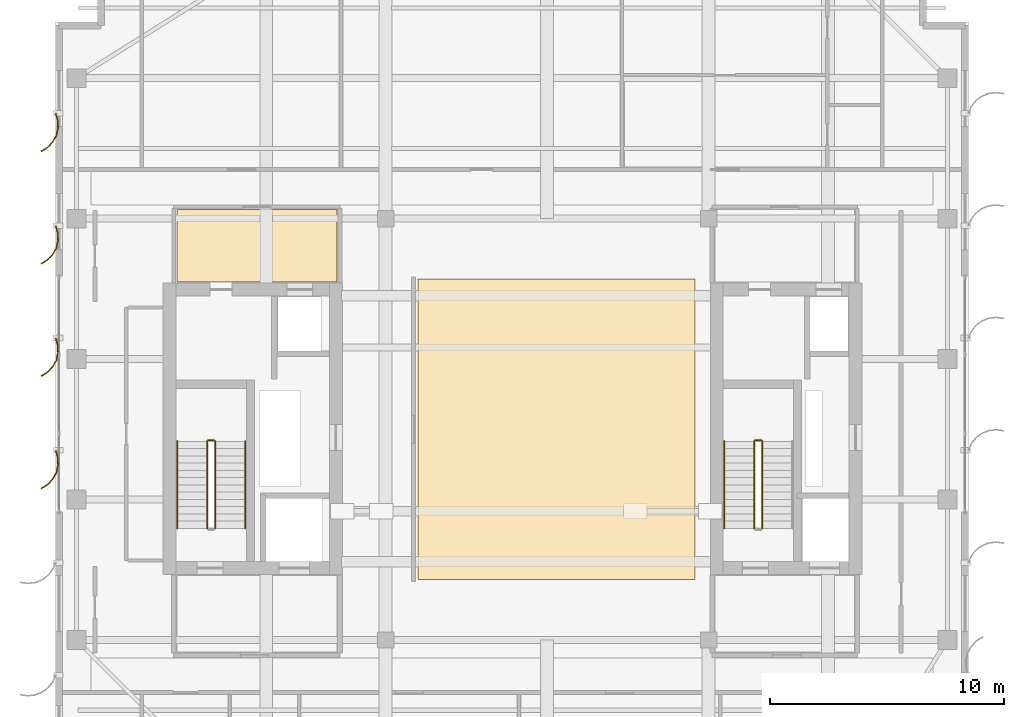
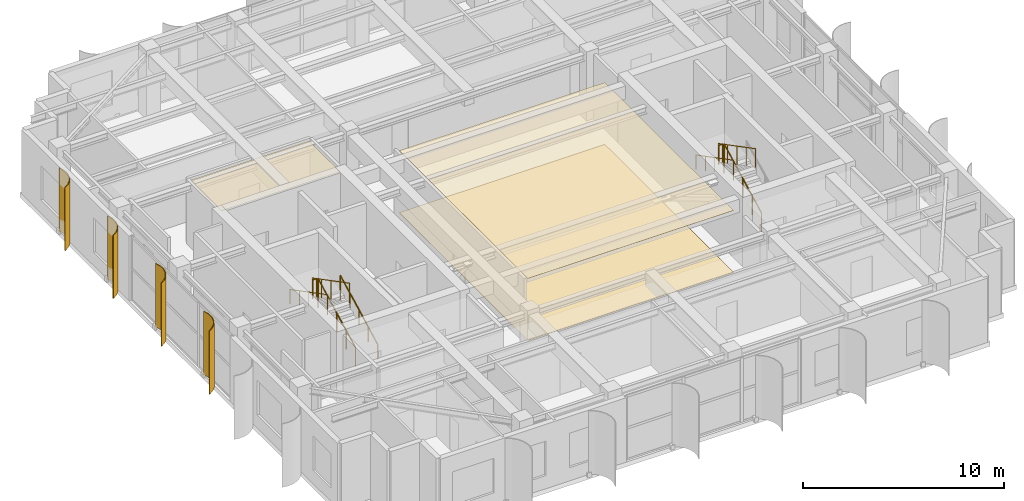
# One storey, part 25 of 26: 9 railings, 4 shading devices, 3 coverings.
"""IFC4 building model written with IfcOpenShell, lengths in metres."""

import ifcopenshell
import ifcopenshell.guid

model = None  # the IFC model being written
_history = None  # IfcOwnerHistory: only IFC2X3 demands one
_inside = {}  # id of a spatial element -> (the spatial element, [elements in it])
_under = {}  # id of a project, library or spatial element -> (it, [spatial elements below it])
_declared = {}  # id of a project -> (the project, [libraries it declares])
_typed = {}  # id of a type object -> (the type object, [elements of that type])
_made_of = {}  # id of a material, layer set ... -> (it, [elements and type objects made of it])


def new_model(schema):
    """Start an empty IFC model of exactly this schema.

    Asked for "IFC4X3", IfcOpenShell would pick the latest addendum, in which some entities
    have other attributes; the version numbers below select the first issue.
    IFC2X3 requires an IfcOwnerHistory on every rooted entity: one is made here for all.
    """
    global model, _history
    if schema == "IFC4X3":
        model = ifcopenshell.file(schema_version=(4, 3, 0, 0))
    else:
        model = ifcopenshell.file(schema=schema)
    _inside.clear()
    _under.clear()
    _declared.clear()
    _typed.clear()
    _made_of.clear()
    _history = None
    if model.schema == "IFC2X3":
        org = make("IfcOrganization", Name="unknown")
        user = make(
            "IfcPersonAndOrganization",
            ThePerson=make("IfcPerson", FamilyName="unknown"),
            TheOrganization=org,
        )
        app = make(
            "IfcApplication",
            ApplicationDeveloper=org,
            Version="unknown",
            ApplicationFullName="unknown",
            ApplicationIdentifier="unknown",
        )
        _history = make(
            "IfcOwnerHistory",
            OwningUser=user,
            OwningApplication=app,
            ChangeAction="ADDED",
            CreationDate=0,
        )
    return model


def make(cls, **values):
    """One entity of the class cls with the attributes given. An attribute that is None is left unset."""
    return model.create_entity(
        cls, **{name: value for name, value in values.items() if value is not None}
    )


def rooted(cls, **values):
    """An entity with a GlobalId (a new one), such as an element, a storey or a relation."""
    return make(cls, GlobalId=ifcopenshell.guid.new(), OwnerHistory=_history, **values)


def si_unit(unit_type, name, prefix=None):
    """IfcSIUnit, for example si_unit("LENGTHUNIT", "METRE", prefix="MILLI")."""
    return make("IfcSIUnit", UnitType=unit_type, Prefix=prefix, Name=name)


def assignment(units):
    """IfcUnitAssignment: the units of a project."""
    return None if units is None else make("IfcUnitAssignment", Units=units)


def point(xyz):
    """IfcCartesianPoint."""
    return None if xyz is None else make("IfcCartesianPoint", Coordinates=xyz)


def direction(xyz):
    """IfcDirection."""
    return None if xyz is None else make("IfcDirection", DirectionRatios=xyz)


def frame(location, z_axis=None, x_axis=None):
    """IfcAxis2Placement3D, a coordinate frame: its origin and axes. An axis left out is left unset."""
    return make(
        "IfcAxis2Placement3D",
        Location=point(location),
        Axis=direction(z_axis),
        RefDirection=direction(x_axis),
    )


def frame_2d(location, x_axis=None):
    """IfcAxis2Placement2D, a coordinate frame in the plane: its origin and x axis."""
    return make(
        "IfcAxis2Placement2D", Location=point(location), RefDirection=direction(x_axis)
    )


def origin():
    """The frame at (0, 0, 0) with its axes left unset."""
    return frame((0.0, 0.0, 0.0))


def origin_2d():
    """The frame at (0, 0) in the plane with its x axis left unset."""
    return frame_2d((0.0, 0.0))


def place(relative_to, where):
    """IfcLocalPlacement: puts the frame where relative to a parent placement (None: the world)."""
    return make(
        "IfcLocalPlacement", PlacementRelTo=relative_to, RelativePlacement=where
    )


def context(
    kind, dimensions, precision=None, world=None, true_north=None, identifier=None
):
    """IfcGeometricRepresentationContext, for example the 3D "Model" context."""
    return make(
        "IfcGeometricRepresentationContext",
        ContextIdentifier=identifier,
        ContextType=kind,
        CoordinateSpaceDimension=dimensions,
        Precision=precision,
        WorldCoordinateSystem=world,
        TrueNorth=true_north,
    )


def subcontext(parent, identifier, kind, view, scale=None):
    """IfcGeometricRepresentationSubContext, for example "Body" below "Model"."""
    return make(
        "IfcGeometricRepresentationSubContext",
        ContextIdentifier=identifier,
        ContextType=kind,
        ParentContext=parent,
        TargetScale=scale,
        TargetView=view,
    )


def project(units=None, contexts=None):
    """IfcProject with its units and contexts."""
    return rooted(
        "IfcProject",
        Name="project",
        RepresentationContexts=contexts,
        UnitsInContext=assignment(units),
    )


def spatial(cls, under=None, at=None, **own):
    """A site, building, storey or space (cls), placed at a placement, below another one or the project."""
    s = rooted(cls, ObjectPlacement=at, **own)
    if under is not None:
        _under.setdefault(under.id(), (under, []))[1].append(s)
    return s


def polyline(points):
    """IfcPolyline through the points."""
    return make("IfcPolyline", Points=[point(p) for p in points])


def profile(cls, at=None, kind="AREA", **sizes):
    """A parametric profile (cls). Its sizes go by their IFC names, for example OverallWidth=200.0."""
    return make(cls, ProfileType=kind, Position=at, **sizes)


def circle(**sizes):
    """IfcCircleProfileDef."""
    return profile("IfcCircleProfileDef", **sizes)


def outline(outer, holes=None, kind="AREA"):
    """IfcArbitraryClosedProfileDef: a profile drawn as a closed curve; with holes, ...WithVoids."""
    if holes is None:
        return make("IfcArbitraryClosedProfileDef", ProfileType=kind, OuterCurve=outer)
    return make(
        "IfcArbitraryProfileDefWithVoids",
        ProfileType=kind,
        OuterCurve=outer,
        InnerCurves=holes,
    )


def extrude(swept, where, along, depth):
    """IfcExtrudedAreaSolid: the profile swept, set in the frame where, extruded along a direction by depth."""
    return make(
        "IfcExtrudedAreaSolid",
        SweptArea=swept,
        Position=where,
        ExtrudedDirection=direction(along),
        Depth=depth,
    )


def shape(context_of_items, identifier, shape_type, items):
    """IfcShapeRepresentation: the items that make up one representation, for example the "Body"."""
    return make(
        "IfcShapeRepresentation",
        ContextOfItems=context_of_items,
        RepresentationIdentifier=identifier,
        RepresentationType=shape_type,
        Items=items,
    )


def source(mapping_origin, context_of_items, identifier, shape_type, items):
    """IfcRepresentationMap: a shape defined once, which mapped items show again and again."""
    return make(
        "IfcRepresentationMap",
        MappingOrigin=mapping_origin,
        MappedRepresentation=shape(context_of_items, identifier, shape_type, items),
    )


def transform(
    local_origin,
    x_axis=None,
    y_axis=None,
    z_axis=None,
    scale=None,
    scale2=None,
    scale3=None,
    uniform=True,
):
    """IfcCartesianTransformationOperator3D, or its non-uniform kind. x_axis, y_axis, z_axis: its Axis1, 2, 3."""
    if uniform:
        return make(
            "IfcCartesianTransformationOperator3D",
            Axis1=direction(x_axis),
            Axis2=direction(y_axis),
            LocalOrigin=point(local_origin),
            Scale=scale,
            Axis3=direction(z_axis),
        )
    return make(
        "IfcCartesianTransformationOperator3DnonUniform",
        Axis1=direction(x_axis),
        Axis2=direction(y_axis),
        LocalOrigin=point(local_origin),
        Scale=scale,
        Axis3=direction(z_axis),
        Scale2=scale2,
        Scale3=scale3,
    )


def mapped(mapping_source, mapping_target):
    """IfcMappedItem: shows the shape of a source again, moved by a transform."""
    return make(
        "IfcMappedItem", MappingSource=mapping_source, MappingTarget=mapping_target
    )


def material(Name=None, Category=None):
    """IfcMaterial."""
    return make("IfcMaterial", Name=Name, Category=Category)


def layer(
    of_material, thickness, ventilated=None, Name=None, Category=None, Priority=None
):
    """IfcMaterialLayer: one layer of a wall or slab, of a material (None: an air gap)."""
    return make(
        "IfcMaterialLayer",
        Material=of_material,
        LayerThickness=thickness,
        IsVentilated=ventilated,
        Name=Name,
        Category=Category,
        Priority=Priority,
    )


def layer_set(layers, Name=None):
    """IfcMaterialLayerSet."""
    return make("IfcMaterialLayerSet", MaterialLayers=layers, LayerSetName=Name)


def made_of(thing, what):
    """Note that an element or type object is made of a material, layer set ...; save() writes the relation."""
    if what is not None:
        _made_of.setdefault(what.id(), (what, []))[1].append(thing)
    return thing


def type_object(cls, material=None, **own):
    """A type object (cls), such as IfcWallType, which elements share."""
    return made_of(rooted(cls, **own), material)


def element(
    cls,
    number,
    at=None,
    inside=None,
    cuts=None,
    type_object=None,
    material=None,
    context=None,
    identifier="Body",
    shape_type=None,
    held_by="IfcProductDefinitionShape",
    body=None,
    shapes=None,
    **own,
):
    """One element of the class cls, such as IfcWall. Its Tag is "e" and its number.

    at: its placement. inside: the storey or other place that contains it. cuts: it is an
    opening in that element (IfcRelVoidsElement). A single representation is given by context,
    identifier, shape_type and body (its items); several are given by shapes. held_by: the class
    of the entity that holds the representations. save() writes the other relations.
    """
    e = rooted(cls, Tag="e%d" % number, ObjectPlacement=at, **own)
    if body is not None:
        shapes = [shape(context, identifier, shape_type, body)]
    if shapes is not None:
        e.Representation = make(held_by, Representations=shapes)
    if inside is not None:
        _inside.setdefault(inside.id(), (inside, []))[1].append(e)
    if cuts is not None:
        rooted(
            "IfcRelVoidsElement", RelatingBuildingElement=cuts, RelatedOpeningElement=e
        )
    if type_object is not None:
        _typed.setdefault(type_object.id(), (type_object, []))[1].append(e)
    return made_of(e, material)


def aggregate(whole, parts):
    """IfcRelAggregates: a whole, such as a stair, and the parts it consists of."""
    return rooted("IfcRelAggregates", RelatingObject=whole, RelatedObjects=parts)


def save(model, path):
    """Write the relations noted so far, then the file.

    IfcRelAggregates (storeys below a building ...), IfcRelContainedInSpatialStructure (elements
    in a storey), IfcRelDefinesByType, IfcRelAssociatesMaterial and IfcRelDeclares: one each for
    every whole, place, type object, material and project.
    """
    for whole, parts in _under.values():
        aggregate(whole, parts)
    for where, things in _inside.values():
        rooted(
            "IfcRelContainedInSpatialStructure",
            RelatedElements=things,
            RelatingStructure=where,
        )
    for kind, things in _typed.values():
        rooted("IfcRelDefinesByType", RelatedObjects=things, RelatingType=kind)
    for what, things in _made_of.values():
        rooted("IfcRelAssociatesMaterial", RelatedObjects=things, RelatingMaterial=what)
    for by, libraries in _declared.values():
        rooted("IfcRelDeclares", RelatingContext=by, RelatedDefinitions=libraries)
    model.write(path)


model = new_model("IFC4")

# Units and contexts
model_context = context("Model", 3, precision=1e-05, world=origin(), true_north=direction((0.0, 1.0)))
body_context = subcontext(model_context, "Body", "Model", "MODEL_VIEW")
ifc_project = project(units=[si_unit("LENGTHUNIT", "METRE"), si_unit("AREAUNIT", "SQUARE_METRE"), si_unit("VOLUMEUNIT", "CUBIC_METRE"), si_unit("PLANEANGLEUNIT", "RADIAN"), si_unit("MASSUNIT", "GRAM", prefix="KILO")], contexts=[model_context])

# Site, building, storey
site_placement = place(None, origin())
site = spatial("IfcSite", under=ifc_project, at=site_placement, CompositionType="ELEMENT")
building_placement = place(site_placement, origin())
building = spatial("IfcBuilding", under=site, at=building_placement, Name="Khoralis Quay Care Tower", CompositionType="ELEMENT")
storey_placement = place(building_placement, frame((0.0, 0.0, 289.5)))
storey = spatial("IfcBuildingStorey", under=building, at=storey_placement, Name="L76", CompositionType="ELEMENT", Elevation=289.5)

# Coverings
ifc_material_1 = material(Name="Mineral-fibre acoustic ceiling tile")
ifc_layer_1 = layer(ifc_material_1, 0.01806640625)
ifc_layer_set_1 = layer_set([ifc_layer_1], Name="Mineral-fibre acoustic ceiling tile")
covering_type_1 = type_object("IfcCoveringType", Name="COV-CEIL-AC18", PredefinedType="CEILING", material=ifc_layer_set_1)
covering_1_placement = place(storey_placement, frame((0.0, 0.0, 3.77197265625)))
element("IfcCovering", 1, at=covering_1_placement, inside=storey, type_object=covering_type_1, Name="Suspended Acoustic Ceiling SP-L76-LLOB-W", PredefinedType="CEILING", context=body_context, shape_type="SweptSolid", body=[
    extrude(outline(polyline([(8.179931640625, 27.300048828125), (15.02001953125, 27.300048828125), (15.02001953125, 30.389892578125), (8.179931640625, 30.389892578125), (8.179931640625, 27.300048828125)])), origin(), (0.0, 0.0, 1.0), 0.01806640625),
])
covering_2_placement = place(storey_placement, frame((0.0, 0.0, 3.77197265625)))
element("IfcCovering", 2, at=covering_2_placement, inside=storey, type_object=covering_type_1, Name="Suspended Acoustic Ceiling SP-L76-SKYLNG", PredefinedType="CEILING", context=body_context, shape_type="SweptSolid", body=[
    extrude(outline(polyline([(18.47998046875, 14.580078125), (30.320068359375, 14.580078125), (30.320068359375, 27.419921875), (18.47998046875, 27.419921875), (18.47998046875, 14.580078125)])), origin(), (0.0, 0.0, 1.0), 0.01806640625),
])
ifc_material_2 = material(Name="Porcelain and non-slip vinyl flooring")
ifc_layer_2 = layer(ifc_material_2, 0.02001953125)
ifc_layer_set_2 = layer_set([ifc_layer_2], Name="Porcelain and non-slip vinyl flooring")
covering_type_2 = type_object("IfcCoveringType", Name="COV-FLOOR-20", PredefinedType="FLOORING", material=ifc_layer_set_2)
covering_3_placement = place(storey_placement, origin())
element("IfcCovering", 3, at=covering_3_placement, inside=storey, type_object=covering_type_2, Name="Resilient Healthcare Flooring SP-L76-SKYLNG", PredefinedType="FLOORING", context=body_context, shape_type="SweptSolid", body=[
    extrude(outline(polyline([(18.47998046875, 14.580078125), (30.320068359375, 14.580078125), (30.320068359375, 27.419921875), (18.47998046875, 27.419921875), (18.47998046875, 14.580078125)])), origin(), (0.0, 0.0, 1.0), 0.02001953125),
])

# Railings
ifc_material_3 = material(Name="Brushed stainless steel", Category="steel")
railing_type_1 = type_object("IfcRailingType", Name="RL-GUARD-1150", PredefinedType="GUARDRAIL", material=ifc_material_3)
railing_1_placement = place(storey_placement, frame((9.820068359375, 16.77001953125, 0.16162109375)))
element("IfcRailing", 4, at=railing_1_placement, inside=storey, type_object=railing_type_1, Name="L76 ST-T1 stair guard 1", PredefinedType="GUARDRAIL", context=body_context, shape_type="SweptSolid", body=[
    extrude(circle(Radius=0.02392578125, at=origin_2d()), frame((0.0, 0.0, 1.1259765625), z_axis=(0.0, 0.886817194535, 0.462120399331), x_axis=(-1.0, 0.0, 0.0)), (0.0, 0.0, 1.0), 4.19482421875),
    extrude(circle(Radius=0.02099609375, at=origin_2d()), origin(), (0.0, 0.0, 1.0), 1.101806640625),
    extrude(circle(Radius=0.02099609375, at=origin_2d()), frame((0.0, 0.929931640625, 0.484619140625)), (0.0, 0.0, 1.0), 1.101806640625),
    extrude(circle(Radius=0.02099609375, at=origin_2d()), frame((0.0, 1.85986328125, 0.96923828125)), (0.0, 0.0, 1.0), 1.101806640625),
    extrude(circle(Radius=0.02099609375, at=origin_2d()), frame((0.0, 2.7900390625, 1.453857421875)), (0.0, 0.0, 1.0), 1.101806640625),
    extrude(circle(Radius=0.02099609375, at=origin_2d()), frame((0.0, 3.719970703125, 1.9384765625)), (0.0, 0.0, 1.0), 1.101806640625),
])
railing_2_placement = place(storey_placement, frame((9.77001953125, 20.5400390625, 2.10009765625)))
element("IfcRailing", 5, at=railing_2_placement, inside=storey, type_object=railing_type_1, Name="L76 ST-T1 stair guard 2", PredefinedType="GUARDRAIL", context=body_context, shape_type="SweptSolid", body=[
    extrude(circle(Radius=0.02392578125, at=origin_2d()), frame((0.0, 0.0, 1.1259765625), z_axis=(-1.0, 0.0, 0.0), x_axis=(0.0, -1.0, 0.0)), (0.0, 0.0, 1.0), 0.239990234375),
    extrude(circle(Radius=0.02099609375, at=origin_2d()), origin(), (0.0, 0.0, 1.0), 1.101806640625),
    extrude(circle(Radius=0.02099609375, at=origin_2d()), frame((-0.239990234375, 0.0, 0.0)), (0.0, 0.0, 1.0), 1.101806640625),
])
railing_3_placement = place(storey_placement, frame((9.47998046875, 20.489990234375, 2.261474609375)))
element("IfcRailing", 6, at=railing_3_placement, inside=storey, type_object=railing_type_1, Name="L76 ST-T1 stair guard 3", PredefinedType="GUARDRAIL", context=body_context, shape_type="SweptSolid", body=[
    extrude(circle(Radius=0.02392578125, at=origin_2d()), frame((0.0, 0.0, 1.1259765625), z_axis=(0.0, -0.886817194535, 0.462120399331), x_axis=(1.0, 0.0, 0.0)), (0.0, 0.0, 1.0), 4.19482421875),
    extrude(circle(Radius=0.02099609375, at=origin_2d()), origin(), (0.0, 0.0, 1.0), 1.101806640625),
    extrude(circle(Radius=0.02099609375, at=origin_2d()), frame((0.0, -0.929931640625, 0.484619140625)), (0.0, 0.0, 1.0), 1.101806640625),
    extrude(circle(Radius=0.02099609375, at=origin_2d()), frame((0.0, -1.85986328125, 0.96923828125)), (0.0, 0.0, 1.0), 1.101806640625),
    extrude(circle(Radius=0.02099609375, at=origin_2d()), frame((0.0, -2.7900390625, 1.453857421875)), (0.0, 0.0, 1.0), 1.101806640625),
    extrude(circle(Radius=0.02099609375, at=origin_2d()), frame((0.0, -3.719970703125, 1.9384765625)), (0.0, 0.0, 1.0), 1.101806640625),
])
railing_4_placement = place(storey_placement, frame((33.18994140625, 16.77001953125, 0.16162109375)))
element("IfcRailing", 7, at=railing_4_placement, inside=storey, type_object=railing_type_1, Name="L76 ST-T2 stair guard 1", PredefinedType="GUARDRAIL", context=body_context, shape_type="SweptSolid", body=[
    extrude(circle(Radius=0.02392578125, at=origin_2d()), frame((0.0, 0.0, 1.1259765625), z_axis=(0.0, 0.886817194535, 0.462120399331), x_axis=(-1.0, 0.0, 0.0)), (0.0, 0.0, 1.0), 4.19482421875),
    extrude(circle(Radius=0.02099609375, at=origin_2d()), origin(), (0.0, 0.0, 1.0), 1.101806640625),
    extrude(circle(Radius=0.02099609375, at=origin_2d()), frame((0.0, 0.929931640625, 0.484619140625)), (0.0, 0.0, 1.0), 1.101806640625),
    extrude(circle(Radius=0.02099609375, at=origin_2d()), frame((0.0, 1.85986328125, 0.96923828125)), (0.0, 0.0, 1.0), 1.101806640625),
    extrude(circle(Radius=0.02099609375, at=origin_2d()), frame((0.0, 2.7900390625, 1.453857421875)), (0.0, 0.0, 1.0), 1.101806640625),
    extrude(circle(Radius=0.02099609375, at=origin_2d()), frame((0.0, 3.719970703125, 1.9384765625)), (0.0, 0.0, 1.0), 1.101806640625),
])
railing_5_placement = place(storey_placement, frame((33.139892578125, 20.5400390625, 2.10009765625)))
element("IfcRailing", 8, at=railing_5_placement, inside=storey, type_object=railing_type_1, Name="L76 ST-T2 stair guard 2", PredefinedType="GUARDRAIL", context=body_context, shape_type="SweptSolid", body=[
    extrude(circle(Radius=0.02392578125, at=origin_2d()), frame((0.0, 0.0, 1.1259765625), z_axis=(-1.0, 0.0, 0.0), x_axis=(0.0, -1.0, 0.0)), (0.0, 0.0, 1.0), 0.239990234375),
    extrude(circle(Radius=0.02099609375, at=origin_2d()), origin(), (0.0, 0.0, 1.0), 1.101806640625),
    extrude(circle(Radius=0.02099609375, at=origin_2d()), frame((-0.239990234375, 0.0, 0.0)), (0.0, 0.0, 1.0), 1.101806640625),
])
railing_6_placement = place(storey_placement, frame((32.85009765625, 20.489990234375, 2.261474609375)))
element("IfcRailing", 9, at=railing_6_placement, inside=storey, type_object=railing_type_1, Name="L76 ST-T2 stair guard 3", PredefinedType="GUARDRAIL", context=body_context, shape_type="SweptSolid", body=[
    extrude(circle(Radius=0.02392578125, at=origin_2d()), frame((0.0, 0.0, 1.1259765625), z_axis=(0.0, -0.886817194535, 0.462120399331), x_axis=(1.0, 0.0, 0.0)), (0.0, 0.0, 1.0), 4.19482421875),
    extrude(circle(Radius=0.02099609375, at=origin_2d()), origin(), (0.0, 0.0, 1.0), 1.101806640625),
    extrude(circle(Radius=0.02099609375, at=origin_2d()), frame((0.0, -0.929931640625, 0.484619140625)), (0.0, 0.0, 1.0), 1.101806640625),
    extrude(circle(Radius=0.02099609375, at=origin_2d()), frame((0.0, -1.85986328125, 0.96923828125)), (0.0, 0.0, 1.0), 1.101806640625),
    extrude(circle(Radius=0.02099609375, at=origin_2d()), frame((0.0, -2.7900390625, 1.453857421875)), (0.0, 0.0, 1.0), 1.101806640625),
    extrude(circle(Radius=0.02099609375, at=origin_2d()), frame((0.0, -3.719970703125, 1.9384765625)), (0.0, 0.0, 1.0), 1.101806640625),
])
railing_type_2 = type_object("IfcRailingType", Name="RL-HAND-900", PredefinedType="HANDRAIL", material=ifc_material_3)
railing_7_placement = place(storey_placement, frame((11.10009765625, 16.77001953125, 0.16162109375)))
element("IfcRailing", 10, at=railing_7_placement, inside=storey, type_object=railing_type_2, Name="L76 ST-T1 stair handrail 1", PredefinedType="HANDRAIL", context=body_context, shape_type="SweptSolid", body=[
    extrude(circle(Radius=0.02392578125, at=origin_2d()), frame((0.0, 0.0, 0.8759765625), z_axis=(0.0, 0.886817194535, 0.462120399331), x_axis=(-1.0, 0.0, 0.0)), (0.0, 0.0, 1.0), 4.19482421875),
    extrude(circle(Radius=0.02099609375, at=origin_2d()), origin(), (0.0, 0.0, 1.0), 0.851806640625),
    extrude(circle(Radius=0.02099609375, at=origin_2d()), frame((0.0, 0.929931640625, 0.484619140625)), (0.0, 0.0, 1.0), 0.851806640625),
    extrude(circle(Radius=0.02099609375, at=origin_2d()), frame((0.0, 1.85986328125, 0.96923828125)), (0.0, 0.0, 1.0), 0.851806640625),
    extrude(circle(Radius=0.02099609375, at=origin_2d()), frame((0.0, 2.7900390625, 1.453857421875)), (0.0, 0.0, 1.0), 0.851806640625),
    extrude(circle(Radius=0.02099609375, at=origin_2d()), frame((0.0, 3.719970703125, 1.9384765625)), (0.0, 0.0, 1.0), 0.851806640625),
])
for number, where, name in (
    (11, (8.199951171875, 20.489990234375, 2.261474609375), "L76 ST-T1 stair handrail 2"),
    (12, (31.570068359375, 20.489990234375, 2.261474609375), "L76 ST-T2 stair handrail 2"),
):
    element("IfcRailing", number, at=place(storey_placement, frame(where)), inside=storey, type_object=railing_type_2, Name=name, PredefinedType="HANDRAIL", context=body_context, shape_type="SweptSolid", body=[
        extrude(circle(Radius=0.02392578125, at=origin_2d()), frame((0.0, 0.0, 0.8759765625), z_axis=(0.0, -0.886817194535, 0.462120399331), x_axis=(1.0, 0.0, 0.0)), (0.0, 0.0, 1.0), 4.19482421875),
        extrude(circle(Radius=0.02099609375, at=origin_2d()), origin(), (0.0, 0.0, 1.0), 0.851806640625),
        extrude(circle(Radius=0.02099609375, at=origin_2d()), frame((0.0, -0.929931640625, 0.484619140625)), (0.0, 0.0, 1.0), 0.851806640625),
        extrude(circle(Radius=0.02099609375, at=origin_2d()), frame((0.0, -1.85986328125, 0.96923828125)), (0.0, 0.0, 1.0), 0.851806640625),
        extrude(circle(Radius=0.02099609375, at=origin_2d()), frame((0.0, -2.7900390625, 1.453857421875)), (0.0, 0.0, 1.0), 0.851806640625),
        extrude(circle(Radius=0.02099609375, at=origin_2d()), frame((0.0, -3.719970703125, 1.9384765625)), (0.0, 0.0, 1.0), 0.851806640625),
    ])

# Shading devices
ifc_material_4 = material(Name="Brushed pale anodised aluminium", Category="aluminium")
ifc_layer_3 = layer(ifc_material_4, 0.044921875)
ifc_layer_set_3 = layer_set([ifc_layer_3], Name="Brushed pale anodised aluminium")
shading_device_type = type_object("IfcShadingDeviceType", Name="SHD-FIN-1250", PredefinedType="USERDEFINED", material=ifc_layer_set_3)
shared_shape = source(origin(), body_context, "Body", "SweptSolid", [
    extrude(outline(polyline([(0.0, 0.0), (-0.0927734375, 0.31298828125), (-0.101318359375, 0.63916015625), (-0.025146484375, 0.956298828125), (0.130615234375, 1.2431640625), (0.355224609375, 1.479736328125), (0.633544921875, 1.650390625), (0.65185546875, 1.609130859375), (0.383544921875, 1.44482421875), (0.1669921875, 1.216796875), (0.01708984375, 0.940185546875), (-0.056396484375, 0.63427734375), (-0.04833984375, 0.31982421875), (0.041015625, 0.018310546875), (0.0, 0.0)])), origin(), (0.0, 0.0, 1.0), 3.85986328125),
])
for number, where, z_axis, x_axis, name in (
    (13, (3.030029296875, 34.5, 0.02001953125), (0.0, 0.0, 1.0), (-1.0, 0.0, 0.0), "L76 Curved Solar Fin P1E15-01"),
    (14, (3.030029296875, 29.699951171875, 0.02001953125), (0.0, 0.0, 1.0), (-1.0, 0.0, 0.0), "L76 Curved Solar Fin P1E15-02"),
    (15, (3.030029296875, 24.89990234375, 0.02001953125), (0.0, 0.0, 1.0), (-1.0, 0.0, 0.0), "L76 Curved Solar Fin P1E15-03"),
    (16, (3.030029296875, 20.10009765625, 0.02001953125), (0.0, 0.0, 1.0), (-1.0, 0.0, 0.0), "L76 Curved Solar Fin P1E15-04"),
):
    element("IfcShadingDevice", number, at=place(storey_placement, frame(where, z_axis=z_axis, x_axis=x_axis)), inside=storey, type_object=shading_device_type, Name=name, ObjectType="FIN", PredefinedType="USERDEFINED", context=body_context, shape_type="MappedRepresentation", body=[
        mapped(shared_shape, transform((0.0, 0.0, 0.0), scale=1.0)),
    ])

save(model, "model.ifc")
